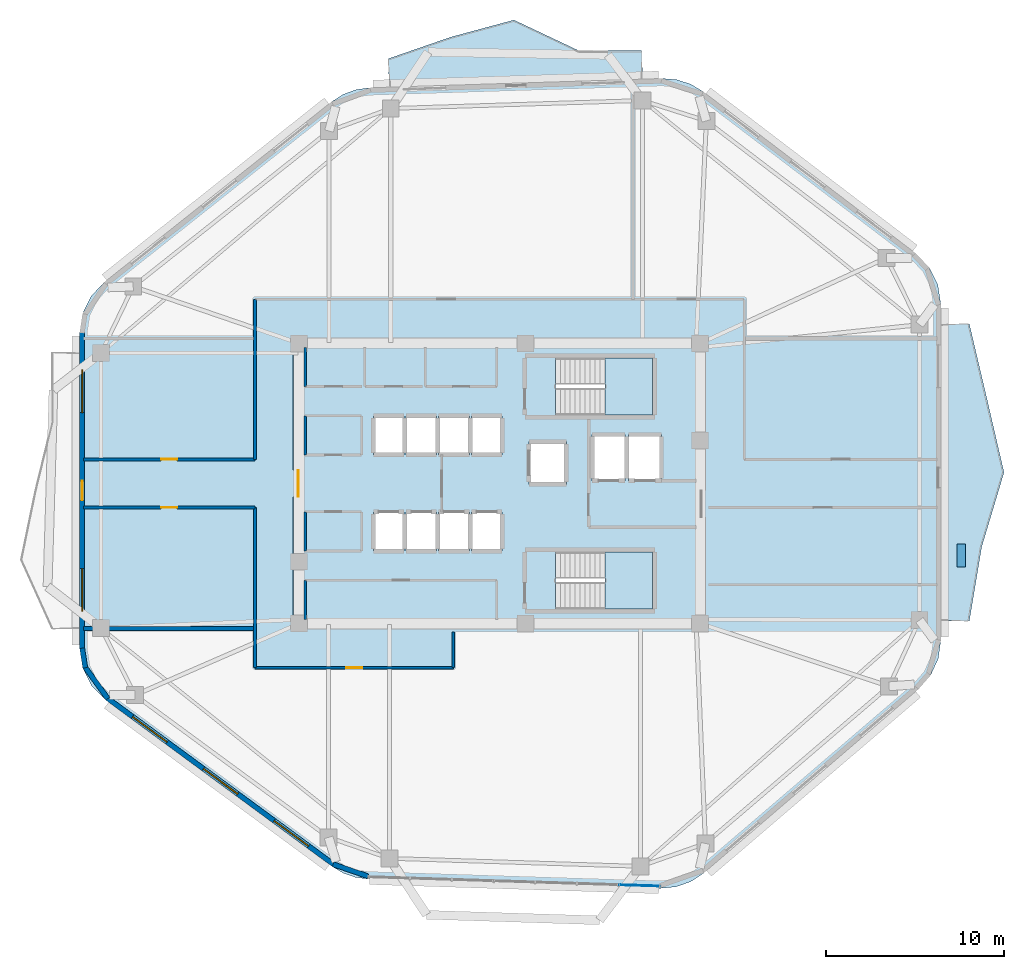
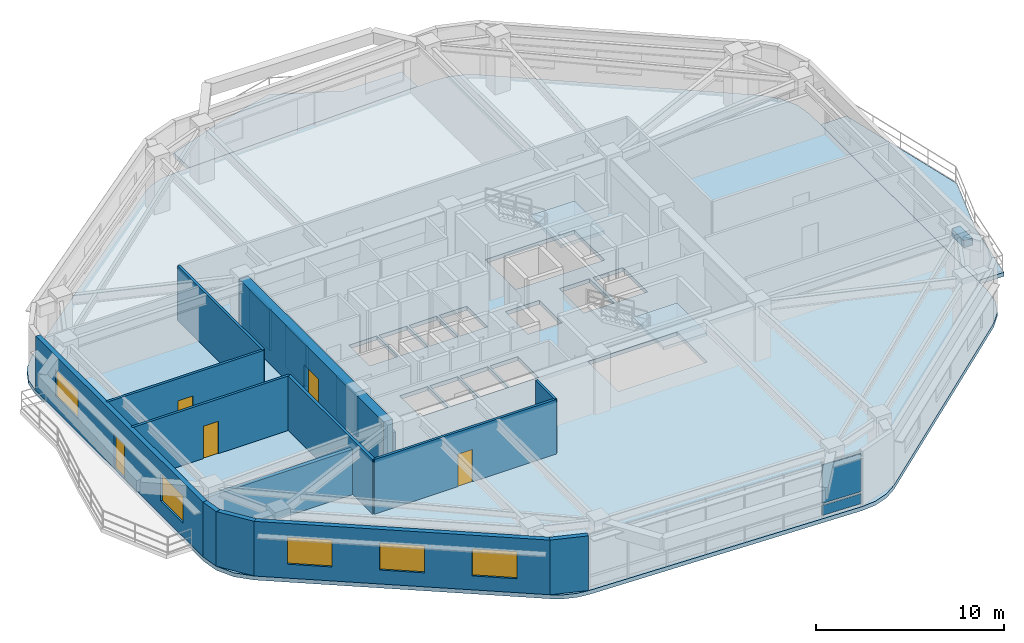
# One storey, part 7 of 12: 17 walls, 5 doors, 5 slabs, 5 windows, 3 plates, 10 openings, 3 elements without a shape of their own.
"""IFC4 building model written with IfcOpenShell, lengths in metres."""

from ifc_helpers import new_model, si_unit, direction, frame, frame_2d, origin, origin_2d, place, context, subcontext, project, spatial, polyline, rectangle, outline, extrude, material, layer, layer_set, type_object, element, fill, aggregate, save


model = new_model("IFC4")

# Units and contexts
model_context = context("Model", 3, precision=1e-05, world=origin(), true_north=direction((0.0, 1.0)))
body_context = subcontext(model_context, "Body", "Model", "MODEL_VIEW")
ifc_project = project(units=[si_unit("LENGTHUNIT", "METRE"), si_unit("AREAUNIT", "SQUARE_METRE"), si_unit("VOLUMEUNIT", "CUBIC_METRE"), si_unit("PLANEANGLEUNIT", "RADIAN"), si_unit("MASSUNIT", "GRAM", prefix="KILO")], contexts=[model_context])

# Site, building, storey
site_placement = place(None, origin())
site = spatial("IfcSite", under=ifc_project, at=site_placement, CompositionType="ELEMENT")
building_placement = place(site_placement, origin())
building = spatial("IfcBuilding", under=site, at=building_placement, Name="Zulverin Broadcast Headquarters", CompositionType="ELEMENT")
storey_placement = place(building_placement, frame((0.0, 0.0, 185.800048828125)))
storey = spatial("IfcBuildingStorey", under=building, at=storey_placement, Name="L47", CompositionType="ELEMENT", Elevation=185.800048828125)

# Curtain wall, plates
ifc_material_1 = material(Name="Waist wind-pressure unitised curtain wall", Category="aluminium")
curtain_wall_type = type_object("IfcCurtainWallType", Name="CW-TWR-WST", PredefinedType="USERDEFINED", material=ifc_material_1)
curtain_wall_placement = place(storey_placement, origin())
curtain_wall = element("IfcCurtainWall", 1, at=curtain_wall_placement, inside=storey, type_object=curtain_wall_type, Name="L47 Unitised Curtain Wall CW-L47-E1", ObjectType="UNITISED CURTAIN WALL", PredefinedType="USERDEFINED")
ifc_material_2 = material(Name="Low-E double-glazed pale-silver vision glass", Category="glass")
ifc_layer_1 = layer(ifc_material_2, 0.035888671875, Name="Low-E double-glazed pale-silver vision glass", Category="glass")
ifc_layer_set_1 = layer_set([ifc_layer_1], Name="Low-E double-glazed pale-silver vision glass")
plate_type_1 = type_object("IfcPlateType", Name="CW-PNL-GLZ", PredefinedType="CURTAIN_PANEL", material=ifc_layer_set_1)
plate_1_placement = place(storey_placement, frame((44.853515625, 2.601318359375, 0.91455078125), z_axis=(0.0, 0.0, 1.0), x_axis=(0.999497141269, -0.031709061709, 0.0)))
plate_1 = element("IfcPlate", 2, at=plate_1_placement, type_object=plate_type_1, Name="CW-L47-E1 Vision Panel 06", PredefinedType="CURTAIN_PANEL", context=body_context, shape_type="SweptSolid", body=[
    extrude(rectangle(XDim=2.303955078125, YDim=0.035888671875, at=origin_2d()), origin(), (0.0, 0.0, 1.0), 2.4853515625),
])
ifc_material_3 = material(Name="Insulated brushed pale-aluminium spandrel cassette", Category="aluminium")
ifc_layer_2 = layer(ifc_material_3, 0.050048828125, Name="Insulated brushed pale-aluminium spandrel cassette", Category="aluminium")
ifc_layer_set_2 = layer_set([ifc_layer_2], Name="Insulated brushed pale-aluminium spandrel cassette")
plate_type_2 = type_object("IfcPlateType", Name="CW-PNL-SPN", PredefinedType="CURTAIN_PANEL", material=ifc_layer_set_2)
plate_2_placement = place(storey_placement, frame((44.853515625, 2.601318359375, 0.139892578125), z_axis=(0.0, 0.0, 1.0), x_axis=(0.999497141269, -0.031709061709, 0.0)))
plate_2 = element("IfcPlate", 3, at=plate_2_placement, type_object=plate_type_2, Name="CW-L47-E1 Spandrel Cassette 06", PredefinedType="CURTAIN_PANEL", context=body_context, shape_type="SweptSolid", body=[
    extrude(rectangle(XDim=2.303955078125, YDim=0.050048828125, at=origin_2d()), origin(), (0.0, 0.0, 1.0), 0.64453125),
])
aggregate(curtain_wall, [plate_2, plate_1])

# Plate
ifc_material_4 = material(Name="Precast concrete C45/55", Category="concrete")
ifc_layer_3 = layer(ifc_material_4, 0.449951171875, Name="Precast concrete C45/55", Category="concrete")
ifc_layer_set_3 = layer_set([ifc_layer_3], Name="Precast concrete C45/55")
plate_type_3 = type_object("IfcPlateType", Name="PT-01_PRECAST_GFRC_TREE_PLANTER", PredefinedType="USERDEFINED", material=ifc_layer_set_3)
plate_3_placement = place(storey_placement, frame((62.949951171875, 21.143798828125, -0.0048828125), z_axis=(0.0, 0.0, 1.0), x_axis=(0.0, 1.0, 0.0)))
element("IfcPlate", 4, at=plate_3_placement, inside=storey, type_object=plate_type_3, Name="L47 Precast GFRC Tree Planter BAL_E", ObjectType="PLANTER", PredefinedType="USERDEFINED", context=body_context, shape_type="SweptSolid", body=[
    extrude(rectangle(XDim=1.300048828125, YDim=0.5, at=origin_2d()), origin(), (0.0, 0.0, 1.0), 0.449951171875),
])

# Slabs
ifc_material_5 = material(Name="Concrete C40/50", Category="concrete")
ifc_layer_4 = layer(ifc_material_5, 0.260009765625, Name="Concrete C40/50", Category="concrete")
ifc_layer_set_4 = layer_set([ifc_layer_4], Name="Concrete C40/50")
slab_type_1 = type_object("IfcSlabType", Name="SLB-BAL-260", PredefinedType="FLOOR", material=ifc_layer_set_4)
slab_1_placement = place(storey_placement, frame((0.0, 0.0, -0.260009765625)))
element("IfcSlab", 5, at=slab_1_placement, inside=storey, type_object=slab_type_1, Name="L47 Cantilevered Planted Balcony Slab BAL_E", PredefinedType="FLOOR", context=body_context, shape_type="SweptSolid", body=[
    extrude(outline(polyline([(61.800048828125, 34.17138671875), (61.800048828125, 17.46923828125), (63.39990234375, 17.46923828125), (64.099365234375, 21.644775390625), (65.35009765625, 25.8203125), (64.380859375, 29.995849609375), (63.39990234375, 34.17138671875), (61.800048828125, 34.17138671875)])), origin(), (0.0, 0.0, 1.0), 0.260009765625),
])
slab_2_placement = place(storey_placement, frame((0.0, 0.0, -0.260009765625)))
element("IfcSlab", 6, at=slab_2_placement, inside=storey, type_object=slab_type_1, Name="L47 Cantilevered Planted Balcony Slab BAL_N", PredefinedType="FLOOR", context=body_context, shape_type="SweptSolid", body=[
    extrude(outline(polyline([(30.794189453125, 47.47265625), (45.03955078125, 47.924560546875), (44.98876953125, 49.523681640625), (41.42333984375, 49.53662109375), (37.80419921875, 51.246826171875), (34.26953125, 50.292236328125), (30.743408203125, 49.072021484375), (30.794189453125, 47.47265625)])), origin(), (0.0, 0.0, 1.0), 0.260009765625),
])

# Stair, slab
stair_type = type_object("IfcStairType", Name="ST-CORE-1500", PredefinedType="HALF_TURN_STAIR", material=ifc_material_5)
stair_1_placement = place(storey_placement, origin())
stair_1 = element("IfcStair", 7, at=stair_1_placement, inside=storey, type_object=stair_type, Name="L47 Core Exit Stair ST-1", PredefinedType="HALF_TURN_STAIR")
ifc_layer_5 = layer(ifc_material_5, 0.199951171875, Name="Concrete C40/50", Category="concrete")
ifc_layer_set_5 = layer_set([ifc_layer_5], Name="Concrete C40/50")
slab_type_2 = type_object("IfcSlabType", Name="SLB-ST-LND200", PredefinedType="LANDING", material=ifc_layer_set_5)
slab_3_placement = place(storey_placement, frame((0.0, 0.0, 1.699951171875)))
slab_3 = element("IfcSlab", 8, at=slab_3_placement, type_object=slab_type_2, Name="ST-1 landing 1", PredefinedType="LANDING", context=body_context, shape_type="SweptSolid", body=[
    extrude(outline(polyline([(42.929931640625, 29.050048828125), (45.60009765625, 29.050048828125), (45.60009765625, 32.25), (42.929931640625, 32.25), (42.929931640625, 29.050048828125)])), origin(), (0.0, 0.0, 1.0), 0.199951171875),
])
aggregate(stair_1, [slab_3])

stair_2_placement = place(storey_placement, origin())
stair_2 = element("IfcStair", 9, at=stair_2_placement, inside=storey, type_object=stair_type, Name="L47 Core Exit Stair ST-2", PredefinedType="HALF_TURN_STAIR")
slab_4_placement = place(storey_placement, frame((0.0, 0.0, 1.699951171875)))
slab_4 = element("IfcSlab", 10, at=slab_4_placement, type_object=slab_type_2, Name="ST-2 landing 1", PredefinedType="LANDING", context=body_context, shape_type="SweptSolid", body=[
    extrude(outline(polyline([(42.929931640625, 18.14990234375), (45.60009765625, 18.14990234375), (45.60009765625, 21.35009765625), (42.929931640625, 21.35009765625), (42.929931640625, 18.14990234375)])), origin(), (0.0, 0.0, 1.0), 0.199951171875),
])
aggregate(stair_2, [slab_4])

# Slab
ifc_layer_6 = layer(ifc_material_5, 0.260009765625, Name="Concrete C40/50", Category="concrete")
ifc_layer_set_6 = layer_set([ifc_layer_6], Name="Concrete C40/50")
slab_type_3 = type_object("IfcSlabType", Name="SLB-TWR-260", PredefinedType="FLOOR", material=ifc_layer_set_6)
slab_5_placement = place(storey_placement, frame((0.0, 0.0, -0.260009765625)))
element("IfcSlab", 11, at=slab_5_placement, inside=storey, type_object=slab_type_3, Name="L47 Main Structural Floor Slab", PredefinedType="FLOOR", context=body_context, shape_type="SweptSolid", body=[
    extrude(outline(polyline([(27.603515625, 3.661865234375), (28.224365234375, 3.295166015625), (28.906005859375, 3.0595703125), (29.62109375, 2.964599609375), (46.02099609375, 2.4443359375), (46.902587890625, 2.525146484375), (47.738037109375, 2.81884765625), (48.476318359375, 3.3076171875), (60.541015625, 13.63427734375), (61.220703125, 14.41064453125), (61.652099609375, 15.34814453125), (61.800048828125, 16.369384765625), (61.800048828125, 35.271484375), (61.6318359375, 36.358642578125), (61.143310546875, 37.344482421875), (60.3798828125, 38.136474609375), (48.432861328125, 47.226318359375), (47.73095703125, 47.643798828125), (46.952880859375, 47.892578125), (46.138916015625, 47.95947265625), (29.694580078125, 47.437744140625), (28.9365234375, 47.332275390625), (28.2177734375, 47.06884765625), (27.57080078125, 46.659423828125), (14.761962890625, 36.492919921875), (14.02880859375, 35.705810546875), (13.560791015625, 34.737060546875), (13.39990234375, 33.673095703125), (13.39990234375, 15.921875), (13.57421875, 14.815673828125), (14.079833984375, 13.81640625), (14.8681640625, 13.02099609375), (27.603515625, 3.661865234375)]), holes=[polyline([(40.155029296875, 30.75), (40.130126953125, 30.75), (40.130126953125, 32.25), (45.60009765625, 32.25), (45.60009765625, 29.050048828125), (40.155029296875, 29.050048828125), (40.155029296875, 30.75)]), polyline([(40.155029296875, 19.85009765625), (40.130126953125, 19.85009765625), (40.130126953125, 21.35009765625), (45.60009765625, 21.35009765625), (45.60009765625, 18.14990234375), (40.155029296875, 18.14990234375), (40.155029296875, 19.85009765625)]), polyline([(29.89990234375, 21.39990234375), (31.6201171875, 21.39990234375), (31.6201171875, 23.60009765625), (29.89990234375, 23.60009765625), (29.89990234375, 21.39990234375)]), polyline([(31.739990234375, 21.39990234375), (33.4599609375, 21.39990234375), (33.4599609375, 23.60009765625), (31.739990234375, 23.60009765625), (31.739990234375, 21.39990234375)]), polyline([(33.580078125, 21.39990234375), (35.300048828125, 21.39990234375), (35.300048828125, 23.60009765625), (33.580078125, 23.60009765625), (33.580078125, 21.39990234375)]), polyline([(35.419921875, 21.39990234375), (37.139892578125, 21.39990234375), (37.139892578125, 23.60009765625), (35.419921875, 23.60009765625), (35.419921875, 21.39990234375)]), polyline([(29.89990234375, 26.800048828125), (31.6201171875, 26.800048828125), (31.6201171875, 29.0), (29.89990234375, 29.0), (29.89990234375, 26.800048828125)]), polyline([(31.739990234375, 26.800048828125), (33.4599609375, 26.800048828125), (33.4599609375, 29.0), (31.739990234375, 29.0), (31.739990234375, 26.800048828125)]), polyline([(33.580078125, 26.800048828125), (35.300048828125, 26.800048828125), (35.300048828125, 29.0), (33.580078125, 29.0), (33.580078125, 26.800048828125)]), polyline([(35.419921875, 26.800048828125), (37.139892578125, 26.800048828125), (37.139892578125, 29.0), (35.419921875, 29.0), (35.419921875, 26.800048828125)]), polyline([(42.199951171875, 25.35009765625), (44.050048828125, 25.35009765625), (44.050048828125, 27.949951171875), (42.199951171875, 27.949951171875), (42.199951171875, 25.35009765625)]), polyline([(44.25, 25.35009765625), (46.10009765625, 25.35009765625), (46.10009765625, 27.949951171875), (44.25, 27.949951171875), (44.25, 25.35009765625)]), polyline([(38.64990234375, 25.14990234375), (40.75, 25.14990234375), (40.75, 27.550048828125), (38.64990234375, 27.550048828125), (38.64990234375, 25.14990234375)])]), origin(), (0.0, 0.0, 1.0), 0.260009765625),
])

# Wall
ifc_material_6 = material(Name="Double-stud acoustic drywall", Category="gypsum")
ifc_layer_7 = layer(ifc_material_6, 0.219970703125, Name="Double-stud acoustic drywall", Category="gypsum")
ifc_layer_set_7 = layer_set([ifc_layer_7], Name="Double-stud acoustic drywall")
wall_type_1 = type_object("IfcWallType", Name="WL-ACOU-220", PredefinedType="PARTITIONING", material=ifc_layer_set_7)
wall_1_placement = place(storey_placement, frame((13.60498046875, 17.050048828125, 0.0), z_axis=(0.0, 0.0, 1.0), x_axis=(1.0, 0.0, 0.0)))
element("IfcWall", 12, at=wall_1_placement, inside=storey, type_object=wall_type_1, Name="L47 Room Partition Wall RP-07", PredefinedType="PARTITIONING", context=body_context, shape_type="SweptSolid", body=[
    extrude(rectangle(XDim=9.64404296875, YDim=0.219970703125, at=frame_2d((4.822021484375, 0.0))), origin(), (0.0, 0.0, 1.0), 2.9228515625),
])

# Wall, opening, door
ifc_material_7 = material(Name="Concrete C60/75", Category="concrete")
ifc_layer_8 = layer(ifc_material_7, 0.550048828125, Name="Concrete C60/75", Category="concrete")
ifc_layer_set_8 = layer_set([ifc_layer_8], Name="Concrete C60/75")
wall_type_2 = type_object("IfcWallType", Name="WL-CORE-550", PredefinedType="SHEAR", material=ifc_layer_set_8)
wall_2_placement = place(storey_placement, frame((25.675048828125, 17.550048828125, 0.0), z_axis=(0.0, 0.0, 1.0), x_axis=(0.0, 1.0, 0.0)))
wall_2 = element("IfcWall", 13, at=wall_2_placement, inside=storey, type_object=wall_type_2, Name="L47 Core West Shear Wall", PredefinedType="SHEAR", context=body_context, shape_type="SweptSolid", body=[
    extrude(rectangle(XDim=15.300048828125, YDim=0.550048828125, at=frame_2d((7.64990234375, 0.0))), origin(), (0.0, 0.0, 1.0), 3.5400390625),
])
opening_1_placement = place(wall_2_placement, frame((6.89990234375, 0.0, 0.0)))
opening_1 = element("IfcOpeningElement", 14, at=opening_1_placement, cuts=wall_2, Name="Opening D-L47-CW1", PredefinedType="OPENING", context=body_context, shape_type="SweptSolid", body=[
    extrude(rectangle(XDim=1.5, YDim=2.14990234375, at=frame_2d((0.75, 1.074951171875))), frame((0.0, 0.284912109375, 0.0), z_axis=(0.0, -1.0, 0.0), x_axis=(1.0, 0.0, 0.0)), (0.0, 0.0, 1.0), 0.570068359375),
])
ifc_material_8 = material(Name="Fire-rated glazed steel frame", Category="steel")
door_type_1 = type_object("IfcDoorType", Name="DR-COR-1500", OperationType="DOUBLE_DOOR_SINGLE_SWING", PredefinedType="DOOR", material=ifc_material_8)
door_1_placement = place(opening_1_placement, origin())
door_1 = element("IfcDoor", 15, at=door_1_placement, inside=storey, type_object=door_type_1, Name="L47 Central Lift Lobby West Portal Door", OperationType="DOUBLE_DOOR_SINGLE_SWING", OverallHeight=2.14990234375, OverallWidth=1.5, PredefinedType="DOOR", context=body_context, shape_type="SweptSolid", body=[
    extrude(rectangle(XDim=1.5, YDim=2.14990234375, at=frame_2d((0.75, 1.074951171875))), frame((0.0, 0.02490234375, 0.0), z_axis=(0.0, -1.0, 0.0), x_axis=(1.0, 0.0, 0.0)), (0.0, 0.0, 1.0), 0.050048828125),
])
fill(opening_1, door_1)

# Wall, openings, door, windows
ifc_material_9 = material(Name="Insulated pale-metal clad concrete spandrel C40/50", Category="concrete")
ifc_layer_9 = layer(ifc_material_9, 0.280029296875, Name="Insulated pale-metal clad concrete spandrel C40/50", Category="concrete")
ifc_layer_set_9 = layer_set([ifc_layer_9], Name="Insulated pale-metal clad concrete spandrel C40/50")
wall_type_3 = type_object("IfcWallType", Name="WL-EXT-280", PredefinedType="STANDARD", material=ifc_layer_set_9)
wall_3_placement = place(storey_placement, frame((13.5400390625, 33.673095703125, 0.0), z_axis=(0.0, 0.0, 1.0), x_axis=(0.0, -1.0, 0.0)))
wall_3 = element("IfcWall", 16, at=wall_3_placement, inside=storey, type_object=wall_type_3, Name="L47 Pale-Metal Clad Spandrel Wall 7", PredefinedType="STANDARD", context=body_context, shape_type="SweptSolid", body=[
    extrude(rectangle(XDim=17.751220703125, YDim=0.280029296875, at=frame_2d((8.87548828125, 0.0))), origin(), (0.0, 0.0, 1.0), 3.5400390625),
])
opening_2_placement = place(wall_3_placement, frame((8.32568359375, 0.0, 0.0)))
opening_2 = element("IfcOpeningElement", 17, at=opening_2_placement, cuts=wall_3, Name="Opening D-L47-TR7", PredefinedType="OPENING", context=body_context, shape_type="SweptSolid", body=[
    extrude(rectangle(XDim=1.10009765625, YDim=2.199951171875, at=frame_2d((0.550048828125, 1.10009765625))), frame((0.0, 0.14990234375, 0.0), z_axis=(0.0, -1.0, 0.0), x_axis=(1.0, 0.0, 0.0)), (0.0, 0.0, 1.0), 0.300048828125),
])
opening_3_placement = place(wall_3_placement, frame((2.091796875, 0.0, 0.89990234375)))
opening_3 = element("IfcOpeningElement", 18, at=opening_3_placement, cuts=wall_3, Name="Opening W-L47-E71", PredefinedType="OPENING", context=body_context, shape_type="SweptSolid", body=[
    extrude(rectangle(XDim=2.39990234375, YDim=1.75, at=frame_2d((1.199951171875, 0.875))), frame((0.0, 0.14990234375, 0.0), z_axis=(0.0, -1.0, 0.0), x_axis=(1.0, 0.0, 0.0)), (0.0, 0.0, 1.0), 0.300048828125),
])
opening_4_placement = place(wall_3_placement, frame((13.259521484375, 0.0, 0.89990234375)))
opening_4 = element("IfcOpeningElement", 19, at=opening_4_placement, cuts=wall_3, Name="Opening W-L47-E72", PredefinedType="OPENING", context=body_context, shape_type="SweptSolid", body=[
    extrude(rectangle(XDim=2.39990234375, YDim=1.75, at=frame_2d((1.199951171875, 0.875))), frame((0.0, 0.14990234375, 0.0), z_axis=(0.0, -1.0, 0.0), x_axis=(1.0, 0.0, 0.0)), (0.0, 0.0, 1.0), 0.300048828125),
])
ifc_material_10 = material(Name="Thermally broken aluminium glazed", Category="aluminium")
door_type_2 = type_object("IfcDoorType", Name="DR-TERR-1100", OperationType="SINGLE_SWING_RIGHT", PredefinedType="DOOR", material=ifc_material_10)
door_2_placement = place(opening_2_placement, origin())
door_2 = element("IfcDoor", 20, at=door_2_placement, inside=storey, type_object=door_type_2, Name="L47 Planted Terrace Glazed Access Door 7", OperationType="SINGLE_SWING_RIGHT", OverallHeight=2.199951171875, OverallWidth=1.10009765625, PredefinedType="DOOR", context=body_context, shape_type="SweptSolid", body=[
    extrude(rectangle(XDim=1.10009765625, YDim=2.199951171875, at=frame_2d((0.550048828125, 1.10009765625))), frame((0.0, 0.02490234375, 0.0), z_axis=(0.0, -1.0, 0.0), x_axis=(1.0, 0.0, 0.0)), (0.0, 0.0, 1.0), 0.050048828125),
])
fill(opening_2, door_2)
ifc_material_11 = material(Name="Pale anodized aluminium frame with solar-control low-E double glazing", Category="aluminium")
window_type = type_object("IfcWindowType", Name="WIN-RIB-2400", PartitioningType="SINGLE_PANEL", PredefinedType="WINDOW", material=ifc_material_11)
window_1_placement = place(opening_3_placement, origin())
window_1 = element("IfcWindow", 21, at=window_1_placement, inside=storey, type_object=window_type, Name="L47 Ribbon Glazing Window 7 1", OverallHeight=1.75, OverallWidth=2.39990234375, PartitioningType="SINGLE_PANEL", PredefinedType="WINDOW", context=body_context, shape_type="SweptSolid", body=[
    extrude(rectangle(XDim=2.39990234375, YDim=1.75, at=frame_2d((1.199951171875, 0.875))), frame((0.0, 0.030029296875, 0.0), z_axis=(0.0, -1.0, 0.0), x_axis=(1.0, 0.0, 0.0)), (0.0, 0.0, 1.0), 0.06005859375),
])
fill(opening_3, window_1)
window_2_placement = place(opening_4_placement, origin())
window_2 = element("IfcWindow", 22, at=window_2_placement, inside=storey, type_object=window_type, Name="L47 Ribbon Glazing Window 7 2", OverallHeight=1.75, OverallWidth=2.39990234375, PartitioningType="SINGLE_PANEL", PredefinedType="WINDOW", context=body_context, shape_type="SweptSolid", body=[
    extrude(rectangle(XDim=2.39990234375, YDim=1.75, at=frame_2d((1.199951171875, 0.875))), frame((0.0, 0.030029296875, 0.0), z_axis=(0.0, -1.0, 0.0), x_axis=(1.0, 0.0, 0.0)), (0.0, 0.0, 1.0), 0.06005859375),
])
fill(opening_4, window_2)

# Wall, openings, windows
wall_4_placement = place(storey_placement, frame((14.950927734375, 13.1337890625, 0.0), z_axis=(0.0, 0.0, 1.0), x_axis=(0.805804940328, -0.592181051827, 0.0)))
wall_4 = element("IfcWall", 23, at=wall_4_placement, inside=storey, type_object=wall_type_3, Name="L47 Pale-Metal Clad Spandrel Wall 8", PredefinedType="STANDARD", context=body_context, shape_type="SweptSolid", body=[
    extrude(rectangle(XDim=15.804443359375, YDim=0.280029296875, at=frame_2d((7.90234375, 0.0))), origin(), (0.0, 0.0, 1.0), 3.5400390625),
])
opening_5_placement = place(wall_4_placement, frame((1.767333984375, 0.0, 0.89990234375)))
opening_5 = element("IfcOpeningElement", 24, at=opening_5_placement, cuts=wall_4, Name="Opening W-L47-E81", PredefinedType="OPENING", context=body_context, shape_type="SweptSolid", body=[
    extrude(rectangle(XDim=2.39990234375, YDim=1.75, at=frame_2d((1.199951171875, 0.875))), frame((0.0, 0.14990234375, 0.0), z_axis=(0.0, -1.0, 0.0), x_axis=(1.0, 0.0, 0.0)), (0.0, 0.0, 1.0), 0.300048828125),
])
opening_6_placement = place(wall_4_placement, frame((6.702392578125, 0.0, 0.89990234375)))
opening_6 = element("IfcOpeningElement", 25, at=opening_6_placement, cuts=wall_4, Name="Opening W-L47-E82", PredefinedType="OPENING", context=body_context, shape_type="SweptSolid", body=[
    extrude(rectangle(XDim=2.39990234375, YDim=1.75, at=frame_2d((1.199951171875, 0.875))), frame((0.0, 0.14990234375, 0.0), z_axis=(0.0, -1.0, 0.0), x_axis=(1.0, 0.0, 0.0)), (0.0, 0.0, 1.0), 0.300048828125),
])
opening_7_placement = place(wall_4_placement, frame((11.63720703125, 0.0, 0.89990234375)))
opening_7 = element("IfcOpeningElement", 26, at=opening_7_placement, cuts=wall_4, Name="Opening W-L47-E83", PredefinedType="OPENING", context=body_context, shape_type="SweptSolid", body=[
    extrude(rectangle(XDim=2.39990234375, YDim=1.75, at=frame_2d((1.199951171875, 0.875))), frame((0.0, 0.14990234375, 0.0), z_axis=(0.0, -1.0, 0.0), x_axis=(1.0, 0.0, 0.0)), (0.0, 0.0, 1.0), 0.300048828125),
])
window_3_placement = place(opening_5_placement, origin())
window_3 = element("IfcWindow", 27, at=window_3_placement, inside=storey, type_object=window_type, Name="L47 Ribbon Glazing Window 8 1", OverallHeight=1.75, OverallWidth=2.39990234375, PartitioningType="SINGLE_PANEL", PredefinedType="WINDOW", context=body_context, shape_type="SweptSolid", body=[
    extrude(rectangle(XDim=2.39990234375, YDim=1.75, at=frame_2d((1.199951171875, 0.875))), frame((0.0, 0.030029296875, 0.0), z_axis=(0.0, -1.0, 0.0), x_axis=(1.0, 0.0, 0.0)), (0.0, 0.0, 1.0), 0.06005859375),
])
fill(opening_5, window_3)
window_4_placement = place(opening_6_placement, origin())
window_4 = element("IfcWindow", 28, at=window_4_placement, inside=storey, type_object=window_type, Name="L47 Ribbon Glazing Window 8 2", OverallHeight=1.75, OverallWidth=2.39990234375, PartitioningType="SINGLE_PANEL", PredefinedType="WINDOW", context=body_context, shape_type="SweptSolid", body=[
    extrude(rectangle(XDim=2.39990234375, YDim=1.75, at=frame_2d((1.199951171875, 0.875))), frame((0.0, 0.030029296875, 0.0), z_axis=(0.0, -1.0, 0.0), x_axis=(1.0, 0.0, 0.0)), (0.0, 0.0, 1.0), 0.06005859375),
])
fill(opening_6, window_4)
window_5_placement = place(opening_7_placement, origin())
window_5 = element("IfcWindow", 29, at=window_5_placement, inside=storey, type_object=window_type, Name="L47 Ribbon Glazing Window 8 3", OverallHeight=1.75, OverallWidth=2.39990234375, PartitioningType="SINGLE_PANEL", PredefinedType="WINDOW", context=body_context, shape_type="SweptSolid", body=[
    extrude(rectangle(XDim=2.39990234375, YDim=1.75, at=frame_2d((1.199951171875, 0.875))), frame((0.0, 0.030029296875, 0.0), z_axis=(0.0, -1.0, 0.0), x_axis=(1.0, 0.0, 0.0)), (0.0, 0.0, 1.0), 0.06005859375),
])
fill(opening_7, window_5)

# Walls
wall_5_placement = place(storey_placement, frame((13.538330078125, 15.943603515625, 0.0), z_axis=(0.0, 0.0, 1.0), x_axis=(0.155447556013, -0.987844146275, 0.0)))
element("IfcWall", 30, at=wall_5_placement, inside=storey, type_object=wall_type_3, Name="L47 Wind-Shaped Corner Spandrel Wall 7-1", PredefinedType="STANDARD", context=body_context, shape_type="SweptSolid", body=[
    extrude(rectangle(XDim=1.119873046875, YDim=0.280029296875, at=frame_2d((0.56005859375, 0.0))), origin(), (0.0, 0.0, 1.0), 3.5400390625),
])
wall_6_placement = place(storey_placement, frame((13.687744140625, 14.897705078125, 0.0), z_axis=(0.0, 0.0, 1.0), x_axis=(0.584833657716, -0.811153248655, 0.0)))
element("IfcWall", 31, at=wall_6_placement, inside=storey, type_object=wall_type_3, Name="L47 Wind-Shaped Corner Spandrel Wall 7-2", PredefinedType="STANDARD", context=body_context, shape_type="SweptSolid", body=[
    extrude(rectangle(XDim=2.21240234375, YDim=0.280029296875, at=frame_2d((1.106201171875, 0.0))), origin(), (0.0, 0.0, 1.0), 3.5400390625),
])
wall_7_placement = place(storey_placement, frame((27.649169921875, 3.794189453125, 0.0), z_axis=(0.0, 0.0, 1.0), x_axis=(0.945158430984, -0.326612217072, 0.0)))
element("IfcWall", 32, at=wall_7_placement, inside=storey, type_object=wall_type_3, Name="L47 Wind-Shaped Corner Spandrel Wall 8-1", PredefinedType="STANDARD", context=body_context, shape_type="SweptSolid", body=[
    extrude(rectangle(XDim=2.06982421875, YDim=0.280029296875, at=frame_2d((1.034912109375, 0.0))), origin(), (0.0, 0.0, 1.0), 3.5400390625),
])
ifc_material_12 = material(Name="Fire-rated gypsum stud partition", Category="gypsum")
ifc_layer_10 = layer(ifc_material_12, 0.14990234375, Name="Fire-rated gypsum stud partition", Category="gypsum")
ifc_layer_set_10 = layer_set([ifc_layer_10], Name="Fire-rated gypsum stud partition")
wall_type_4 = type_object("IfcWallType", Name="WL-PART-150", PredefinedType="PARTITIONING", material=ifc_layer_set_10)
wall_8_placement = place(storey_placement, frame((26.070068359375, 30.64990234375, 0.0), z_axis=(0.0, 0.0, 1.0), x_axis=(0.0, 1.0, 0.0)))
element("IfcWall", 33, at=wall_8_placement, inside=storey, type_object=wall_type_4, Name="L47 Core Accessible WC West Wall", PredefinedType="PARTITIONING", context=body_context, shape_type="SweptSolid", body=[
    extrude(rectangle(XDim=2.2001953125, YDim=0.14990234375, at=frame_2d((1.10009765625, 0.0))), origin(), (0.0, 0.0, 1.0), 2.639892578125),
])
for number, where, z_axis, x_axis, name in (
    (34, (26.070068359375, 17.550048828125, 0.0), (0.0, 0.0, 1.0), (0.0, 1.0, 0.0), "L47 Core Female WC & Facilities Room West Wall"),
    (35, (26.070068359375, 26.800048828125, 0.0), (0.0, 0.0, 1.0), (0.0, 1.0, 0.0), "L47 Core UPS Battery Store W Wall"),
):
    element("IfcWall", number, at=place(storey_placement, frame(where, z_axis=z_axis, x_axis=x_axis)), inside=storey, type_object=wall_type_4, Name=name, PredefinedType="PARTITIONING", context=body_context, shape_type="SweptSolid", body=[
        extrude(rectangle(XDim=2.199951171875, YDim=0.14990234375, at=frame_2d((1.10009765625, 0.0))), origin(), (0.0, 0.0, 1.0), 2.639892578125),
    ])
wall_9_placement = place(storey_placement, frame((26.070068359375, 21.39990234375, 0.0), z_axis=(0.0, 0.0, 1.0), x_axis=(0.0, 1.0, 0.0)))
element("IfcWall", 36, at=wall_9_placement, inside=storey, type_object=wall_type_4, Name="L47 Media Ingestion Server Room W Wall", PredefinedType="PARTITIONING", context=body_context, shape_type="SweptSolid", body=[
    extrude(rectangle(XDim=2.2001953125, YDim=0.14990234375, at=frame_2d((1.10009765625, 0.0))), origin(), (0.0, 0.0, 1.0), 2.639892578125),
])
wall_10_placement = place(storey_placement, frame((34.39990234375, 14.85009765625, 0.0), z_axis=(0.0, 0.0, 1.0), x_axis=(0.0, 1.0, 0.0)))
element("IfcWall", 37, at=wall_10_placement, inside=storey, type_object=wall_type_4, Name="L47 Gallery Partition Wall CG-03", PredefinedType="PARTITIONING", context=body_context, shape_type="SweptSolid", body=[
    extrude(rectangle(XDim=2.010009765625, YDim=0.14990234375, at=frame_2d((1.0048828125, 0.0))), origin(), (0.0, 0.0, 1.0), 3.5400390625),
])
wall_11_placement = place(storey_placement, frame((23.25, 26.550048828125, 0.0), z_axis=(0.0, 0.0, 1.0), x_axis=(0.0, 1.0, 0.0)))
element("IfcWall", 38, at=wall_11_placement, inside=storey, type_object=wall_type_4, Name="L47 Gallery Partition Wall CG-05", PredefinedType="PARTITIONING", context=body_context, shape_type="SweptSolid", body=[
    extrude(rectangle(XDim=9.0, YDim=0.14990234375, at=frame_2d((4.5, 0.0))), origin(), (0.0, 0.0, 1.0), 3.5400390625),
])

# Wall, opening, door
wall_12_placement = place(storey_placement, frame((23.25, 14.85009765625, 0.0), z_axis=(0.0, 0.0, 1.0), x_axis=(1.0, 0.0, 0.0)))
wall_12 = element("IfcWall", 39, at=wall_12_placement, inside=storey, type_object=wall_type_4, Name="L47 Gallery Partition Wall CG-06", PredefinedType="PARTITIONING", context=body_context, shape_type="SweptSolid", body=[
    extrude(rectangle(XDim=11.14990234375, YDim=0.14990234375, at=frame_2d((5.574951171875, 0.0))), origin(), (0.0, 0.0, 1.0), 3.5400390625),
])
opening_8_placement = place(wall_12_placement, frame((5.125, 0.0, 0.0)))
opening_8 = element("IfcOpeningElement", 40, at=opening_8_placement, cuts=wall_12, Name="Opening D-L47-03", PredefinedType="OPENING", context=body_context, shape_type="SweptSolid", body=[
    extrude(rectangle(XDim=0.89990234375, YDim=2.10009765625, at=frame_2d((0.449951171875, 1.050048828125))), frame((0.0, 0.0849609375, 0.0), z_axis=(0.0, -1.0, 0.0), x_axis=(1.0, 0.0, 0.0)), (0.0, 0.0, 1.0), 0.169921875),
])
ifc_material_13 = material(Name="Fire-rated hardwood veneer timber leaf", Category="wood")
door_type_3 = type_object("IfcDoorType", Name="DR-ROOM-900", OperationType="SINGLE_SWING_RIGHT", PredefinedType="DOOR", material=ifc_material_13)
door_3_placement = place(opening_8_placement, origin())
door_3 = element("IfcDoor", 41, at=door_3_placement, inside=storey, type_object=door_type_3, Name="L47 Forecast Briefing Room Door", OperationType="SINGLE_SWING_RIGHT", OverallHeight=2.10009765625, OverallWidth=0.89990234375, PredefinedType="DOOR", context=body_context, shape_type="SweptSolid", body=[
    extrude(rectangle(XDim=0.89990234375, YDim=2.10009765625, at=frame_2d((0.449951171875, 1.050048828125))), frame((0.0, 0.02490234375, 0.0), z_axis=(0.0, -1.0, 0.0), x_axis=(1.0, 0.0, 0.0)), (0.0, 0.0, 1.0), 0.050048828125),
])
fill(opening_8, door_3)

wall_13_placement = place(storey_placement, frame((13.60498046875, 23.85009765625, 0.0), z_axis=(0.0, 0.0, 1.0), x_axis=(1.0, 0.0, 0.0)))
wall_13 = element("IfcWall", 42, at=wall_13_placement, inside=storey, type_object=wall_type_4, Name="L47 Gallery Partition Wall CG-09", PredefinedType="PARTITIONING", context=body_context, shape_type="SweptSolid", body=[
    extrude(rectangle(XDim=9.64501953125, YDim=0.14990234375, at=frame_2d((4.822509765625, 0.0))), origin(), (0.0, 0.0, 1.0), 3.5400390625),
])
opening_9_placement = place(wall_13_placement, frame((4.37255859375, 0.0, 0.0)))
opening_9 = element("IfcOpeningElement", 43, at=opening_9_placement, cuts=wall_13, Name="Opening D-L47-04", PredefinedType="OPENING", context=body_context, shape_type="SweptSolid", body=[
    extrude(rectangle(XDim=0.89990234375, YDim=2.10009765625, at=frame_2d((0.449951171875, 1.050048828125))), frame((0.0, 0.0849609375, 0.0), z_axis=(0.0, -1.0, 0.0), x_axis=(1.0, 0.0, 0.0)), (0.0, 0.0, 1.0), 0.169921875),
])
door_4_placement = place(opening_9_placement, origin())
door_4 = element("IfcDoor", 44, at=door_4_placement, inside=storey, type_object=door_type_3, Name="L47 Research Library Door", OperationType="SINGLE_SWING_LEFT", OverallHeight=2.10009765625, OverallWidth=0.89990234375, PredefinedType="DOOR", context=body_context, shape_type="SweptSolid", body=[
    extrude(rectangle(XDim=0.89990234375, YDim=2.10009765625, at=frame_2d((0.449951171875, 1.050048828125))), frame((0.0, 0.02490234375, 0.0), z_axis=(0.0, -1.0, 0.0), x_axis=(1.0, 0.0, 0.0)), (0.0, 0.0, 1.0), 0.050048828125),
])
fill(opening_9, door_4)

wall_14_placement = place(storey_placement, frame((13.60498046875, 26.550048828125, 0.0), z_axis=(0.0, 0.0, 1.0), x_axis=(1.0, 0.0, 0.0)))
wall_14 = element("IfcWall", 45, at=wall_14_placement, inside=storey, type_object=wall_type_4, Name="L47 Gallery Partition Wall CG-11", PredefinedType="PARTITIONING", context=body_context, shape_type="SweptSolid", body=[
    extrude(rectangle(XDim=9.64501953125, YDim=0.14990234375, at=frame_2d((4.822509765625, 0.0))), origin(), (0.0, 0.0, 1.0), 3.5400390625),
])
opening_10_placement = place(wall_14_placement, frame((4.37255859375, 0.0, 0.0)))
opening_10 = element("IfcOpeningElement", 46, at=opening_10_placement, cuts=wall_14, Name="Opening D-L47-05", PredefinedType="OPENING", context=body_context, shape_type="SweptSolid", body=[
    extrude(rectangle(XDim=0.89990234375, YDim=2.10009765625, at=frame_2d((0.449951171875, 1.050048828125))), frame((0.0, 0.0849609375, 0.0), z_axis=(0.0, -1.0, 0.0), x_axis=(1.0, 0.0, 0.0)), (0.0, 0.0, 1.0), 0.169921875),
])
door_5_placement = place(opening_10_placement, origin())
door_5 = element("IfcDoor", 47, at=door_5_placement, inside=storey, type_object=door_type_3, Name="L47 Refreshment Servery Door", OperationType="SINGLE_SWING_RIGHT", OverallHeight=2.10009765625, OverallWidth=0.89990234375, PredefinedType="DOOR", context=body_context, shape_type="SweptSolid", body=[
    extrude(rectangle(XDim=0.89990234375, YDim=2.10009765625, at=frame_2d((0.449951171875, 1.050048828125))), frame((0.0, 0.02490234375, 0.0), z_axis=(0.0, -1.0, 0.0), x_axis=(1.0, 0.0, 0.0)), (0.0, 0.0, 1.0), 0.050048828125),
])
fill(opening_10, door_5)

# Wall
ifc_material_14 = material(Name="Fire-rated acoustic stud wall", Category="gypsum")
ifc_layer_11 = layer(ifc_material_14, 0.175048828125, Name="Fire-rated acoustic stud wall", Category="gypsum")
ifc_layer_set_11 = layer_set([ifc_layer_11], Name="Fire-rated acoustic stud wall")
wall_type_5 = type_object("IfcWallType", Name="WL-PART-175", PredefinedType="PARTITIONING", material=ifc_layer_set_11)
wall_15_placement = place(storey_placement, frame((23.25, 14.85009765625, 0.0), z_axis=(0.0, 0.0, 1.0), x_axis=(0.0, 1.0, 0.0)))
element("IfcWall", 48, at=wall_15_placement, inside=storey, type_object=wall_type_5, Name="L47 Gallery Partition Wall CG-04", PredefinedType="PARTITIONING", context=body_context, shape_type="SweptSolid", body=[
    extrude(rectangle(XDim=9.0, YDim=0.175048828125, at=frame_2d((4.5, 0.0))), origin(), (0.0, 0.0, 1.0), 3.5400390625),
])

save(model, "model.ifc")
